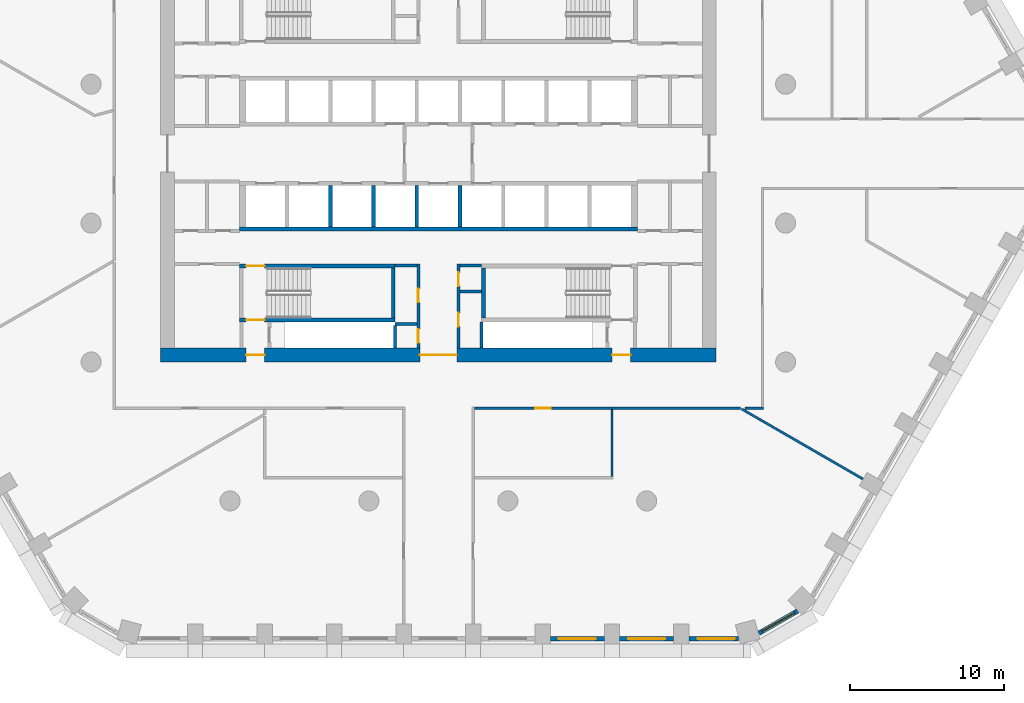
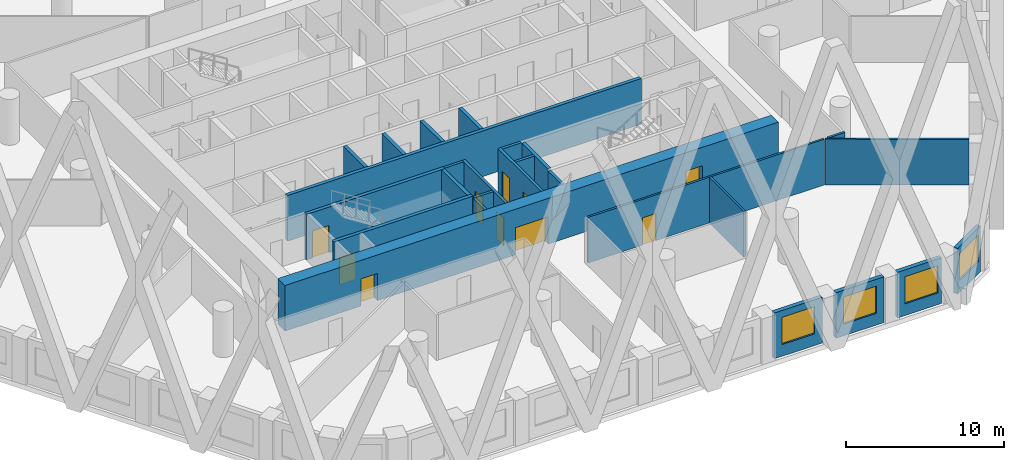
# One storey, part 3 of 18: 27 walls, 10 doors, 4 windows, 14 openings.
"""IFC4 building model written with IfcOpenShell, lengths in metres."""

from ifc_helpers import new_model, si_unit, direction, frame, frame_2d, origin, place, context, subcontext, project, spatial, polyline, rectangle, outline, extrude, material, layer, layer_set, type_object, element, fill, save


model = new_model("IFC4")

# Units and contexts
model_context = context("Model", 3, precision=1e-05, world=origin(), true_north=direction((0.0, 1.0)))
body_context = subcontext(model_context, "Body", "Model", "MODEL_VIEW")
ifc_project = project(units=[si_unit("LENGTHUNIT", "METRE"), si_unit("AREAUNIT", "SQUARE_METRE"), si_unit("VOLUMEUNIT", "CUBIC_METRE"), si_unit("PLANEANGLEUNIT", "RADIAN"), si_unit("MASSUNIT", "GRAM", prefix="KILO")], contexts=[model_context])

# Site, building, storey
site_placement = place(None, origin())
site = spatial("IfcSite", under=ifc_project, at=site_placement, CompositionType="ELEMENT")
building_placement = place(site_placement, origin())
building = spatial("IfcBuilding", under=site, at=building_placement, Name="Dhurran Vertical Campus", CompositionType="ELEMENT")
storey_placement = place(building_placement, frame((0.0, 0.0, 81.300048828125)))
storey = spatial("IfcBuildingStorey", under=building, at=storey_placement, Name="L19", CompositionType="ELEMENT", Elevation=81.300048828125)

# Wall, opening, window
ifc_material_1 = material(Name="Precast concrete C50/60", Category="concrete")
ifc_layer_1 = layer(ifc_material_1, 0.300048828125)
ifc_layer_set_1 = layer_set([ifc_layer_1], Name="Precast concrete C50/60")
wall_type_1 = type_object("IfcWallType", Name="Precast spandrel wall 300", PredefinedType="SOLIDWALL", material=ifc_layer_set_1)
wall_1_placement = place(storey_placement, frame((7.25048828125, -31.4296875, 0.0), z_axis=(0.0, 0.0, 1.0), x_axis=(1.0, 0.0, 0.0)))
wall_1 = element("IfcWall", 1, at=wall_1_placement, inside=storey, type_object=wall_type_1, Name="EW1 L19.06", PredefinedType="SOLIDWALL", context=body_context, shape_type="SweptSolid", body=[
    extrude(rectangle(XDim=3.4990234375, YDim=0.300048828125, at=frame_2d((1.74951171875, 0.0))), origin(), (0.0, 0.0, 1.0), 3.52490234375),
])
opening_1_placement = place(wall_1_placement, frame((0.549560546875, 0.0, 0.89990234375)))
opening_1 = element("IfcOpeningElement", 2, at=opening_1_placement, cuts=wall_1, Name="Opening WT1", PredefinedType="OPENING", context=body_context, shape_type="SweptSolid", body=[
    extrude(rectangle(XDim=2.39990234375, YDim=2.10009765625, at=frame_2d((1.199951171875, 1.050048828125))), frame((0.0, 0.159912109375, 0.0), z_axis=(0.0, -1.0, 0.0), x_axis=(1.0, 0.0, 0.0)), (0.0, 0.0, 1.0), 0.320068359375),
])
ifc_material_2 = material(Name="Aluminium frame with solar-control glass", Category="aluminium")
window_type = type_object("IfcWindowType", Name="Punched window 2400 x 2100", PartitioningType="SINGLE_PANEL", PredefinedType="WINDOW", material=ifc_material_2)
window_1_placement = place(opening_1_placement, origin())
window_1 = element("IfcWindow", 3, at=window_1_placement, inside=storey, type_object=window_type, Name="WT1 L19.06", OverallHeight=2.10009765625, OverallWidth=2.39990234375, PartitioningType="SINGLE_PANEL", PredefinedType="WINDOW", context=body_context, shape_type="SweptSolid", body=[
    extrude(rectangle(XDim=2.39990234375, YDim=2.10009765625, at=frame_2d((1.199951171875, 1.050048828125))), frame((0.0, 0.030029296875, 0.0), z_axis=(0.0, -1.0, 0.0), x_axis=(1.0, 0.0, 0.0)), (0.0, 0.0, 1.0), 0.06005859375),
])
fill(opening_1, window_1)

wall_2_placement = place(storey_placement, frame((11.75048828125, -31.4296875, 0.0), z_axis=(0.0, 0.0, 1.0), x_axis=(1.0, 0.0, 0.0)))
wall_2 = element("IfcWall", 4, at=wall_2_placement, inside=storey, type_object=wall_type_1, Name="EW1 L19.07", PredefinedType="SOLIDWALL", context=body_context, shape_type="SweptSolid", body=[
    extrude(rectangle(XDim=3.4990234375, YDim=0.300048828125, at=frame_2d((1.74951171875, 0.0))), origin(), (0.0, 0.0, 1.0), 3.52490234375),
])
opening_2_placement = place(wall_2_placement, frame((0.549560546875, 0.0, 0.89990234375)))
opening_2 = element("IfcOpeningElement", 5, at=opening_2_placement, cuts=wall_2, Name="Opening WT1", PredefinedType="OPENING", context=body_context, shape_type="SweptSolid", body=[
    extrude(rectangle(XDim=2.39990234375, YDim=2.10009765625, at=frame_2d((1.199951171875, 1.050048828125))), frame((0.0, 0.159912109375, 0.0), z_axis=(0.0, -1.0, 0.0), x_axis=(1.0, 0.0, 0.0)), (0.0, 0.0, 1.0), 0.320068359375),
])
window_2_placement = place(opening_2_placement, origin())
window_2 = element("IfcWindow", 6, at=window_2_placement, inside=storey, type_object=window_type, Name="WT1 L19.07", OverallHeight=2.10009765625, OverallWidth=2.39990234375, PartitioningType="SINGLE_PANEL", PredefinedType="WINDOW", context=body_context, shape_type="SweptSolid", body=[
    extrude(rectangle(XDim=2.39990234375, YDim=2.10009765625, at=frame_2d((1.199951171875, 1.050048828125))), frame((0.0, 0.030029296875, 0.0), z_axis=(0.0, -1.0, 0.0), x_axis=(1.0, 0.0, 0.0)), (0.0, 0.0, 1.0), 0.06005859375),
])
fill(opening_2, window_2)

wall_3_placement = place(storey_placement, frame((16.25048828125, -31.4296875, 0.0), z_axis=(0.0, 0.0, 1.0), x_axis=(1.0, 0.0, 0.0)))
wall_3 = element("IfcWall", 7, at=wall_3_placement, inside=storey, type_object=wall_type_1, Name="EW1 L19.08", PredefinedType="SOLIDWALL", context=body_context, shape_type="SweptSolid", body=[
    extrude(rectangle(XDim=3.1923828125, YDim=0.300048828125, at=frame_2d((1.59619140625, 0.0))), origin(), (0.0, 0.0, 1.0), 3.52490234375),
])
opening_3_placement = place(wall_3_placement, frame((0.549560546875, 0.0, 0.89990234375)))
opening_3 = element("IfcOpeningElement", 8, at=opening_3_placement, cuts=wall_3, Name="Opening WT1", PredefinedType="OPENING", context=body_context, shape_type="SweptSolid", body=[
    extrude(rectangle(XDim=2.39990234375, YDim=2.10009765625, at=frame_2d((1.199951171875, 1.050048828125))), frame((0.0, 0.159912109375, 0.0), z_axis=(0.0, -1.0, 0.0), x_axis=(1.0, 0.0, 0.0)), (0.0, 0.0, 1.0), 0.320068359375),
])
window_3_placement = place(opening_3_placement, origin())
window_3 = element("IfcWindow", 9, at=window_3_placement, inside=storey, type_object=window_type, Name="WT1 L19.08", OverallHeight=2.10009765625, OverallWidth=2.39990234375, PartitioningType="SINGLE_PANEL", PredefinedType="WINDOW", context=body_context, shape_type="SweptSolid", body=[
    extrude(rectangle(XDim=2.39990234375, YDim=2.10009765625, at=frame_2d((1.199951171875, 1.050048828125))), frame((0.0, 0.030029296875, 0.0), z_axis=(0.0, -1.0, 0.0), x_axis=(1.0, 0.0, 0.0)), (0.0, 0.0, 1.0), 0.06005859375),
])
fill(opening_3, window_3)

wall_4_placement = place(storey_placement, frame((20.774169921875, -31.072998046875, 0.0), z_axis=(0.0, 0.0, 1.0), x_axis=(0.866053149362, 0.49995194017, 0.0)))
wall_4 = element("IfcWall", 10, at=wall_4_placement, inside=storey, type_object=wall_type_1, Name="EW1 L19.09", PredefinedType="SOLIDWALL", context=body_context, shape_type="SweptSolid", body=[
    extrude(rectangle(XDim=2.885498046875, YDim=0.300048828125, at=frame_2d((1.44287109375, 0.0))), origin(), (0.0, 0.0, 1.0), 3.52490234375),
])
opening_4_placement = place(wall_4_placement, frame((0.242919921875, 0.0, 0.89990234375)))
opening_4 = element("IfcOpeningElement", 11, at=opening_4_placement, cuts=wall_4, Name="Opening WT1", PredefinedType="OPENING", context=body_context, shape_type="SweptSolid", body=[
    extrude(rectangle(XDim=2.39990234375, YDim=2.10009765625, at=frame_2d((1.199951171875, 1.050048828125))), frame((0.0, 0.159912109375, 0.0), z_axis=(0.0, -1.0, 0.0), x_axis=(1.0, 0.0, 0.0)), (0.0, 0.0, 1.0), 0.320068359375),
])
window_4_placement = place(opening_4_placement, origin())
window_4 = element("IfcWindow", 12, at=window_4_placement, inside=storey, type_object=window_type, Name="WT1 L19.09", OverallHeight=2.10009765625, OverallWidth=2.39990234375, PartitioningType="SINGLE_PANEL", PredefinedType="WINDOW", context=body_context, shape_type="SweptSolid", body=[
    extrude(rectangle(XDim=2.39990234375, YDim=2.10009765625, at=frame_2d((1.199951171875, 1.050048828125))), frame((0.0, 0.030029296875, 0.0), z_axis=(0.0, -1.0, 0.0), x_axis=(1.0, 0.0, 0.0)), (0.0, 0.0, 1.0), 0.06005859375),
])
fill(opening_4, window_4)

# Wall, openings, doors
ifc_material_3 = material(Name="Concrete C60/75", Category="concrete")
ifc_layer_2 = layer(ifc_material_3, 0.89990234375)
ifc_layer_set_2 = layer_set([ifc_layer_2], Name="Concrete C60/75")
wall_type_2 = type_object("IfcWallType", Name="co-CORE-WALL-C0-900", PredefinedType="SHEAR", material=ifc_layer_set_2)
wall_5_placement = place(storey_placement, frame((-18.0, -13.050048828125, 0.0), z_axis=(0.0, 0.0, 1.0), x_axis=(1.0, 0.0, 0.0)))
wall_5 = element("IfcWall", 13, at=wall_5_placement, inside=storey, type_object=wall_type_2, Name="Core wall S L19", PredefinedType="SHEAR", context=body_context, shape_type="SweptSolid", body=[
    extrude(rectangle(XDim=36.0, YDim=0.89990234375, at=frame_2d((18.0, 0.0))), origin(), (0.0, 0.0, 1.0), 3.52490234375),
])
opening_5_placement = place(wall_5_placement, frame((16.800048828125, 0.0, 0.0)))
opening_5 = element("IfcOpeningElement", 14, at=opening_5_placement, cuts=wall_5, Name="Opening CV2", PredefinedType="OPENING", context=body_context, shape_type="SweptSolid", body=[
    extrude(rectangle(XDim=2.39990234375, YDim=2.10009765625, at=frame_2d((1.199951171875, 1.050048828125))), frame((0.0, 0.4599609375, 0.0), z_axis=(0.0, -1.0, 0.0), x_axis=(1.0, 0.0, 0.0)), (0.0, 0.0, 1.0), 0.919921875),
])
opening_6_placement = place(wall_5_placement, frame((5.550048828125, 0.0, 0.0)))
opening_6 = element("IfcOpeningElement", 15, at=opening_6_placement, cuts=wall_5, Name="Opening XD3", PredefinedType="OPENING", context=body_context, shape_type="SweptSolid", body=[
    extrude(rectangle(XDim=1.199951171875, YDim=2.10009765625, at=frame_2d((0.60009765625, 1.050048828125))), frame((0.0, 0.4599609375, 0.0), z_axis=(0.0, -1.0, 0.0), x_axis=(1.0, 0.0, 0.0)), (0.0, 0.0, 1.0), 0.919921875),
])
opening_7_placement = place(wall_5_placement, frame((29.25, 0.0, 0.0)))
opening_7 = element("IfcOpeningElement", 16, at=opening_7_placement, cuts=wall_5, Name="Opening XD4", PredefinedType="OPENING", context=body_context, shape_type="SweptSolid", body=[
    extrude(rectangle(XDim=1.199951171875, YDim=2.10009765625, at=frame_2d((0.60009765625, 1.050048828125))), frame((0.0, 0.4599609375, 0.0), z_axis=(0.0, -1.0, 0.0), x_axis=(1.0, 0.0, 0.0)), (0.0, 0.0, 1.0), 0.919921875),
])
ifc_material_4 = material(Name="Fire-rated glazed door set")
door_type_1 = type_object("IfcDoorType", Name="co-D-LOBBY 2400x2100", OperationType="DOUBLE_DOOR_DOUBLE_SWING", PredefinedType="DOOR", material=ifc_material_4)
door_1_placement = place(opening_5_placement, origin())
door_1 = element("IfcDoor", 17, at=door_1_placement, inside=storey, type_object=door_type_1, Name="Core vestibule door S L19", OperationType="DOUBLE_DOOR_DOUBLE_SWING", OverallHeight=2.10009765625, OverallWidth=2.39990234375, PredefinedType="DOOR", context=body_context, shape_type="SweptSolid", body=[
    extrude(rectangle(XDim=2.39990234375, YDim=2.10009765625, at=frame_2d((1.199951171875, 1.050048828125))), frame((0.0, 0.02490234375, 0.0), z_axis=(0.0, -1.0, 0.0), x_axis=(1.0, 0.0, 0.0)), (0.0, 0.0, 1.0), 0.050048828125),
])
fill(opening_5, door_1)
ifc_material_5 = material(Name="Fire-rated steel door set", Category="steel")
door_type_2 = type_object("IfcDoorType", Name="co-D-STAIR-EXIT 1200x2100", OperationType="SINGLE_SWING_RIGHT", PredefinedType="DOOR", material=ifc_material_5)
door_2_placement = place(opening_6_placement, origin())
door_2 = element("IfcDoor", 18, at=door_2_placement, inside=storey, type_object=door_type_2, Name="Stair ST3 exit door L19", OperationType="SINGLE_SWING_RIGHT", OverallHeight=2.10009765625, OverallWidth=1.199951171875, PredefinedType="DOOR", context=body_context, shape_type="SweptSolid", body=[
    extrude(rectangle(XDim=1.199951171875, YDim=2.10009765625, at=frame_2d((0.60009765625, 1.050048828125))), frame((0.0, 0.02490234375, 0.0), z_axis=(0.0, -1.0, 0.0), x_axis=(1.0, 0.0, 0.0)), (0.0, 0.0, 1.0), 0.050048828125),
])
fill(opening_6, door_2)
door_3_placement = place(opening_7_placement, origin())
door_3 = element("IfcDoor", 19, at=door_3_placement, inside=storey, type_object=door_type_2, Name="Stair ST4 exit door L19", OperationType="SINGLE_SWING_RIGHT", OverallHeight=2.10009765625, OverallWidth=1.199951171875, PredefinedType="DOOR", context=body_context, shape_type="SweptSolid", body=[
    extrude(rectangle(XDim=1.199951171875, YDim=2.10009765625, at=frame_2d((0.60009765625, 1.050048828125))), frame((0.0, 0.02490234375, 0.0), z_axis=(0.0, -1.0, 0.0), x_axis=(1.0, 0.0, 0.0)), (0.0, 0.0, 1.0), 0.050048828125),
])
fill(opening_7, door_3)

# Walls
ifc_material_6 = material(Name="Fire-rated masonry blockwork", Category="masonry")
ifc_layer_3 = layer(ifc_material_6, 0.199951171875)
ifc_layer_set_3 = layer_set([ifc_layer_3], Name="Fire-rated masonry blockwork")
wall_type_3 = type_object("IfcWallType", Name="co-FIRE-PARTITION-200", PredefinedType="PARTITIONING", material=ifc_layer_set_3)
for number, where, z_axis, x_axis, name in (
    (20, (-2.800048828125, -7.25, 0.0), (0.0, 0.0, 1.0), (1.0, 0.0, 0.0), "Core partition sl-SW-S L19"),
    (21, (-2.800048828125, -11.02490234375, 0.0), (0.0, 0.0, 1.0), (1.0, 0.0, 0.0), "Core partition sl-SW-cut0 L19"),
    (22, (1.39990234375, -7.25, 0.0), (0.0, 0.0, 1.0), (1.0, 0.0, 0.0), "Core partition sl-SE-S L19"),
    (23, (1.39990234375, -8.925048828125, 0.0), (0.0, 0.0, 1.0), (1.0, 0.0, 0.0), "Core partition sl-SE-cut0 L19"),
):
    element("IfcWall", number, at=place(storey_placement, frame(where, z_axis=z_axis, x_axis=x_axis)), inside=storey, type_object=wall_type_3, Name=name, PredefinedType="PARTITIONING", context=body_context, shape_type="SweptSolid", body=[
        extrude(rectangle(XDim=1.400146484375, YDim=0.199951171875, at=frame_2d((0.7001953125, 0.0))), origin(), (0.0, 0.0, 1.0), 3.52490234375),
    ])

# Wall, openings, doors
wall_6_placement = place(storey_placement, frame((-1.300048828125, -12.60009765625, 0.0), z_axis=(0.0, 0.0, 1.0), x_axis=(0.0, 1.0, 0.0)))
wall_6 = element("IfcWall", 24, at=wall_6_placement, inside=storey, type_object=wall_type_3, Name="Core partition vest-SW L19", PredefinedType="PARTITIONING", context=body_context, shape_type="SweptSolid", body=[
    extrude(rectangle(XDim=5.4501953125, YDim=0.199951171875, at=frame_2d((2.72509765625, 0.0))), origin(), (0.0, 0.0, 1.0), 3.52490234375),
])
opening_8_placement = place(wall_6_placement, frame((0.33740234375, 0.0, 0.0)))
opening_8 = element("IfcOpeningElement", 25, at=opening_8_placement, cuts=wall_6, Name="Opening T05-C1", PredefinedType="OPENING", context=body_context, shape_type="SweptSolid", body=[
    extrude(rectangle(XDim=0.89990234375, YDim=2.10009765625, at=frame_2d((0.449951171875, 1.050048828125))), frame((0.0, 0.10986328125, 0.0), z_axis=(0.0, -1.0, 0.0), x_axis=(1.0, 0.0, 0.0)), (0.0, 0.0, 1.0), 0.219970703125),
])
opening_9_placement = place(wall_6_placement, frame((2.96240234375, 0.0, 0.0)))
opening_9 = element("IfcOpeningElement", 26, at=opening_9_placement, cuts=wall_6, Name="Opening T05-C2", PredefinedType="OPENING", context=body_context, shape_type="SweptSolid", body=[
    extrude(rectangle(XDim=0.89990234375, YDim=2.10009765625, at=frame_2d((0.449951171875, 1.050048828125))), frame((0.0, 0.10986328125, 0.0), z_axis=(0.0, -1.0, 0.0), x_axis=(1.0, 0.0, 0.0)), (0.0, 0.0, 1.0), 0.219970703125),
])
ifc_material_7 = material(Name="Fire-rated timber door set", Category="wood")
door_type_3 = type_object("IfcDoorType", Name="co-D-ROOM 900x2100", OperationType="SINGLE_SWING_LEFT", PredefinedType="DOOR", material=ifc_material_7)
door_4_placement = place(opening_8_placement, origin())
door_4 = element("IfcDoor", 27, at=door_4_placement, inside=storey, type_object=door_type_3, Name="Fire equipment store door L19", OperationType="SINGLE_SWING_LEFT", OverallHeight=2.10009765625, OverallWidth=0.89990234375, PredefinedType="DOOR", context=body_context, shape_type="SweptSolid", body=[
    extrude(rectangle(XDim=0.89990234375, YDim=2.10009765625, at=frame_2d((0.449951171875, 1.050048828125))), frame((0.0, 0.02490234375, 0.0), z_axis=(0.0, -1.0, 0.0), x_axis=(1.0, 0.0, 0.0)), (0.0, 0.0, 1.0), 0.050048828125),
])
fill(opening_8, door_4)
door_5_placement = place(opening_9_placement, origin())
door_5 = element("IfcDoor", 28, at=door_5_placement, inside=storey, type_object=door_type_3, Name="Server room door L19", OperationType="SINGLE_SWING_LEFT", OverallHeight=2.10009765625, OverallWidth=0.89990234375, PredefinedType="DOOR", context=body_context, shape_type="SweptSolid", body=[
    extrude(rectangle(XDim=0.89990234375, YDim=2.10009765625, at=frame_2d((0.449951171875, 1.050048828125))), frame((0.0, 0.02490234375, 0.0), z_axis=(0.0, -1.0, 0.0), x_axis=(1.0, 0.0, 0.0)), (0.0, 0.0, 1.0), 0.050048828125),
])
fill(opening_9, door_5)

wall_7_placement = place(storey_placement, frame((1.300048828125, -12.60009765625, 0.0), z_axis=(0.0, 0.0, 1.0), x_axis=(0.0, 1.0, 0.0)))
wall_7 = element("IfcWall", 29, at=wall_7_placement, inside=storey, type_object=wall_type_3, Name="Core partition vest-SE L19", PredefinedType="PARTITIONING", context=body_context, shape_type="SweptSolid", body=[
    extrude(rectangle(XDim=5.4501953125, YDim=0.199951171875, at=frame_2d((2.72509765625, 0.0))), origin(), (0.0, 0.0, 1.0), 3.52490234375),
])
opening_10_placement = place(wall_7_placement, frame((1.387451171875, 0.0, 0.0)))
opening_10 = element("IfcOpeningElement", 30, at=opening_10_placement, cuts=wall_7, Name="Opening T05-C3", PredefinedType="OPENING", context=body_context, shape_type="SweptSolid", body=[
    extrude(rectangle(XDim=0.89990234375, YDim=2.10009765625, at=frame_2d((0.449951171875, 1.050048828125))), frame((0.0, 0.10986328125, 0.0), z_axis=(0.0, -1.0, 0.0), x_axis=(1.0, 0.0, 0.0)), (0.0, 0.0, 1.0), 0.219970703125),
])
opening_11_placement = place(wall_7_placement, frame((4.012451171875, 0.0, 0.0)))
opening_11 = element("IfcOpeningElement", 31, at=opening_11_placement, cuts=wall_7, Name="Opening T05-C4", PredefinedType="OPENING", context=body_context, shape_type="SweptSolid", body=[
    extrude(rectangle(XDim=0.89990234375, YDim=2.10009765625, at=frame_2d((0.449951171875, 1.050048828125))), frame((0.0, 0.10986328125, 0.0), z_axis=(0.0, -1.0, 0.0), x_axis=(1.0, 0.0, 0.0)), (0.0, 0.0, 1.0), 0.219970703125),
])
door_6_placement = place(opening_10_placement, origin())
door_6 = element("IfcDoor", 32, at=door_6_placement, inside=storey, type_object=door_type_3, Name="Water riser door L19", OperationType="SINGLE_SWING_LEFT", OverallHeight=2.10009765625, OverallWidth=0.89990234375, PredefinedType="DOOR", context=body_context, shape_type="SweptSolid", body=[
    extrude(rectangle(XDim=0.89990234375, YDim=2.10009765625, at=frame_2d((0.449951171875, 1.050048828125))), frame((0.0, 0.02490234375, 0.0), z_axis=(0.0, -1.0, 0.0), x_axis=(1.0, 0.0, 0.0)), (0.0, 0.0, 1.0), 0.050048828125),
])
fill(opening_10, door_6)
door_7_placement = place(opening_11_placement, origin())
door_7 = element("IfcDoor", 33, at=door_7_placement, inside=storey, type_object=door_type_3, Name="Communications room door L19", OperationType="SINGLE_SWING_LEFT", OverallHeight=2.10009765625, OverallWidth=0.89990234375, PredefinedType="DOOR", context=body_context, shape_type="SweptSolid", body=[
    extrude(rectangle(XDim=0.89990234375, YDim=2.10009765625, at=frame_2d((0.449951171875, 1.050048828125))), frame((0.0, 0.02490234375, 0.0), z_axis=(0.0, -1.0, 0.0), x_axis=(1.0, 0.0, 0.0)), (0.0, 0.0, 1.0), 0.050048828125),
])
fill(opening_11, door_7)

# Walls
wall_8_placement = place(storey_placement, frame((-2.800048828125, -12.59912109375, 0.0), z_axis=(0.0, 0.0, 1.0), x_axis=(0.0, 1.0, 0.0)))
element("IfcWall", 34, at=wall_8_placement, inside=storey, type_object=wall_type_3, Name="Riser enclosure wall L19", PredefinedType="PARTITIONING", context=body_context, shape_type="SweptSolid", body=[
    extrude(rectangle(XDim=1.47314453125, YDim=0.199951171875, at=frame_2d((0.736572265625, 0.0))), origin(), (0.0, 0.0, 1.0), 3.52490234375),
])
wall_9_placement = place(storey_placement, frame((2.800048828125, -12.59912109375, 0.0), z_axis=(0.0, 0.0, 1.0), x_axis=(0.0, 1.0, 0.0)))
element("IfcWall", 35, at=wall_9_placement, inside=storey, type_object=wall_type_3, Name="Riser enclosure wall L19", PredefinedType="PARTITIONING", context=body_context, shape_type="SweptSolid", body=[
    extrude(rectangle(XDim=1.6982421875, YDim=0.199951171875, at=frame_2d((0.84912109375, 0.0))), origin(), (0.0, 0.0, 1.0), 3.52490234375),
])
ifc_material_8 = material(Name="Concrete C50/60", Category="concrete")
ifc_layer_4 = layer(ifc_material_8, 0.25)
ifc_layer_set_4 = layer_set([ifc_layer_4], Name="Concrete C50/60")
wall_type_4 = type_object("IfcWallType", Name="co-SHAFT-MASS-250", PredefinedType="SHEAR", material=ifc_layer_set_4)
wall_10_placement = place(storey_placement, origin())
element("IfcWall", 36, at=wall_10_placement, inside=storey, type_object=wall_type_4, Name="Lift shaft wall S L19 1", PredefinedType="SHEAR", context=body_context, shape_type="SweptSolid", body=[
    extrude(outline(polyline([(-12.89990234375, -5.0), (12.89990234375, -5.0), (12.89990234375, -4.75), (-12.89990234375, -4.75), (-12.89990234375, -5.0)])), origin(), (0.0, 0.0, 1.0), 3.52490234375),
])
wall_11_placement = place(storey_placement, origin())
element("IfcWall", 37, at=wall_11_placement, inside=storey, type_object=wall_type_4, Name="Lift shaft wall S L19 4", PredefinedType="SHEAR", context=body_context, shape_type="SweptSolid", body=[
    extrude(outline(polyline([(-7.125, -4.75), (-6.875, -4.75), (-6.875, -2.050048828125), (-7.125, -2.050048828125), (-7.125, -4.75)])), origin(), (0.0, 0.0, 1.0), 3.52490234375),
])
wall_12_placement = place(storey_placement, origin())
element("IfcWall", 38, at=wall_12_placement, inside=storey, type_object=wall_type_4, Name="Lift shaft wall S L19 5", PredefinedType="SHEAR", context=body_context, shape_type="SweptSolid", body=[
    extrude(outline(polyline([(-4.324951171875, -4.75), (-4.074951171875, -4.75), (-4.074951171875, -2.050048828125), (-4.324951171875, -2.050048828125), (-4.324951171875, -4.75)])), origin(), (0.0, 0.0, 1.0), 3.52490234375),
])
wall_13_placement = place(storey_placement, origin())
element("IfcWall", 39, at=wall_13_placement, inside=storey, type_object=wall_type_4, Name="Lift shaft wall S L19 6", PredefinedType="SHEAR", context=body_context, shape_type="SweptSolid", body=[
    extrude(outline(polyline([(-1.52490234375, -4.75), (-1.27490234375, -4.75), (-1.27490234375, -2.050048828125), (-1.52490234375, -2.050048828125), (-1.52490234375, -4.75)])), origin(), (0.0, 0.0, 1.0), 3.52490234375),
])
wall_14_placement = place(storey_placement, origin())
element("IfcWall", 40, at=wall_14_placement, inside=storey, type_object=wall_type_4, Name="Lift shaft wall S L19 7", PredefinedType="SHEAR", context=body_context, shape_type="SweptSolid", body=[
    extrude(outline(polyline([(1.27490234375, -4.75), (1.52490234375, -4.75), (1.52490234375, -2.050048828125), (1.27490234375, -2.050048828125), (1.27490234375, -4.75)])), origin(), (0.0, 0.0, 1.0), 3.52490234375),
])

# Wall, opening, door
ifc_material_9 = material(Name="Concrete C40/50", Category="concrete")
ifc_layer_5 = layer(ifc_material_9, 0.25)
ifc_layer_set_5 = layer_set([ifc_layer_5], Name="Concrete C40/50")
wall_type_5 = type_object("IfcWallType", Name="co-STAIR-WALL-250", PredefinedType="SHEAR", material=ifc_layer_set_5)
wall_15_placement = place(storey_placement, frame((-12.89990234375, -10.77490234375, 0.0), z_axis=(0.0, 0.0, 1.0), x_axis=(1.0, 0.0, 0.0)))
wall_15 = element("IfcWall", 41, at=wall_15_placement, inside=storey, type_object=wall_type_5, Name="Stair ST3 enclosure wall L19", PredefinedType="SHEAR", context=body_context, shape_type="SweptSolid", body=[
    extrude(rectangle(XDim=10.099853515625, YDim=0.25, at=frame_2d((5.0498046875, 0.0))), origin(), (0.0, 0.0, 1.0), 3.52490234375),
])
opening_12_placement = place(wall_15_placement, frame((0.449951171875, 0.0, 0.0)))
opening_12 = element("IfcOpeningElement", 42, at=opening_12_placement, cuts=wall_15, Name="Opening XS3", PredefinedType="OPENING", context=body_context, shape_type="SweptSolid", body=[
    extrude(rectangle(XDim=1.199951171875, YDim=2.10009765625, at=frame_2d((0.60009765625, 1.050048828125))), frame((0.0, 0.135009765625, 0.0), z_axis=(0.0, -1.0, 0.0), x_axis=(1.0, 0.0, 0.0)), (0.0, 0.0, 1.0), 0.27001953125),
])
door_8_placement = place(opening_12_placement, origin())
door_8 = element("IfcDoor", 43, at=door_8_placement, inside=storey, type_object=door_type_2, Name="Stair ST3 discharge door L19", OperationType="SINGLE_SWING_RIGHT", OverallHeight=2.10009765625, OverallWidth=1.199951171875, PredefinedType="DOOR", context=body_context, shape_type="SweptSolid", body=[
    extrude(rectangle(XDim=1.199951171875, YDim=2.10009765625, at=frame_2d((0.60009765625, 1.050048828125))), frame((0.0, 0.02490234375, 0.0), z_axis=(0.0, -1.0, 0.0), x_axis=(1.0, 0.0, 0.0)), (0.0, 0.0, 1.0), 0.050048828125),
])
fill(opening_12, door_8)

wall_16_placement = place(storey_placement, frame((-12.89990234375, -7.27490234375, 0.0), z_axis=(0.0, 0.0, 1.0), x_axis=(1.0, 0.0, 0.0)))
wall_16 = element("IfcWall", 44, at=wall_16_placement, inside=storey, type_object=wall_type_5, Name="Stair ST3 enclosure wall L19", PredefinedType="SHEAR", context=body_context, shape_type="SweptSolid", body=[
    extrude(rectangle(XDim=10.099853515625, YDim=0.25, at=frame_2d((5.0498046875, 0.0))), origin(), (0.0, 0.0, 1.0), 3.52490234375),
])
opening_13_placement = place(wall_16_placement, frame((0.449951171875, 0.0, 0.0)))
opening_13 = element("IfcOpeningElement", 45, at=opening_13_placement, cuts=wall_16, Name="Opening SD3", PredefinedType="OPENING", context=body_context, shape_type="SweptSolid", body=[
    extrude(rectangle(XDim=1.199951171875, YDim=2.10009765625, at=frame_2d((0.60009765625, 1.050048828125))), frame((0.0, 0.135009765625, 0.0), z_axis=(0.0, -1.0, 0.0), x_axis=(1.0, 0.0, 0.0)), (0.0, 0.0, 1.0), 0.27001953125),
])
ifc_material_10 = material(Name="Fire-rated steel door set", Category="steel")
door_type_4 = type_object("IfcDoorType", Name="co-D-STAIR 1200x2100", OperationType="SINGLE_SWING_LEFT", PredefinedType="DOOR", material=ifc_material_10)
door_9_placement = place(opening_13_placement, origin())
door_9 = element("IfcDoor", 46, at=door_9_placement, inside=storey, type_object=door_type_4, Name="Stair ST3 door L19", OperationType="SINGLE_SWING_LEFT", OverallHeight=2.10009765625, OverallWidth=1.199951171875, PredefinedType="DOOR", context=body_context, shape_type="SweptSolid", body=[
    extrude(rectangle(XDim=1.199951171875, YDim=2.10009765625, at=frame_2d((0.60009765625, 1.050048828125))), frame((0.0, 0.02490234375, 0.0), z_axis=(0.0, -1.0, 0.0), x_axis=(1.0, 0.0, 0.0)), (0.0, 0.0, 1.0), 0.050048828125),
])
fill(opening_13, door_9)

# Walls
for number, where, z_axis, x_axis, name in (
    (47, (-2.925048828125, -10.64990234375, 0.0), (0.0, 0.0, 1.0), (0.0, 1.0, 0.0), "Stair ST3 enclosure wall L19"),
    (48, (2.925048828125, -10.64990234375, 0.0), (0.0, 0.0, 1.0), (0.0, 1.0, 0.0), "Stair ST4 enclosure wall L19"),
):
    element("IfcWall", number, at=place(storey_placement, frame(where, z_axis=z_axis, x_axis=x_axis)), inside=storey, type_object=wall_type_5, Name=name, PredefinedType="SHEAR", context=body_context, shape_type="SweptSolid", body=[
        extrude(rectangle(XDim=3.25, YDim=0.25, at=frame_2d((1.625, 0.0))), origin(), (0.0, 0.0, 1.0), 3.52490234375),
    ])

# Wall, opening, door
ifc_material_11 = material(Name="Gypsum board corridor wall on steel studs", Category="steel")
ifc_layer_6 = layer(ifc_material_11, 0.14990234375)
ifc_layer_set_6 = layer_set([ifc_layer_6], Name="Gypsum board corridor wall on steel studs")
wall_type_6 = type_object("IfcWallType", Name="fl-CW-150 corridor wall", PredefinedType="PARTITIONING", material=ifc_layer_set_6)
wall_17_placement = place(storey_placement, frame((2.324951171875, -16.5, 0.0), z_axis=(0.0, 0.0, 1.0), x_axis=(1.0, 0.0, 0.0)))
wall_17 = element("IfcWall", 49, at=wall_17_placement, inside=storey, type_object=wall_type_6, Name="Partition 19-26", PredefinedType="PARTITIONING", context=body_context, shape_type="SweptSolid", body=[
    extrude(rectangle(XDim=8.925048828125, YDim=0.14990234375, at=frame_2d((4.46240234375, 0.0))), origin(), (0.0, 0.0, 1.0), 3.52490234375),
])
opening_14_placement = place(wall_17_placement, frame((3.96240234375, 0.0, 0.0)))
opening_14 = element("IfcOpeningElement", 50, at=opening_14_placement, cuts=wall_17, Name="Opening T05.08", PredefinedType="OPENING", context=body_context, shape_type="SweptSolid", body=[
    extrude(rectangle(XDim=1.0, YDim=2.10009765625, at=frame_2d((0.5, 1.050048828125))), frame((0.0, 0.0849609375, 0.0), z_axis=(0.0, -1.0, 0.0), x_axis=(1.0, 0.0, 0.0)), (0.0, 0.0, 1.0), 0.169921875),
])
ifc_material_12 = material(Name="Solid-core timber door set, fire-rated", Category="wood")
door_type_5 = type_object("IfcDoorType", Name="fl-D-1000x2100", OperationType="SINGLE_SWING_LEFT", PredefinedType="DOOR", material=ifc_material_12)
door_10_placement = place(opening_14_placement, origin())
door_10 = element("IfcDoor", 51, at=door_10_placement, inside=storey, type_object=door_type_5, Name="Door 19.08", OperationType="SINGLE_SWING_LEFT", OverallHeight=2.10009765625, OverallWidth=1.0, PredefinedType="DOOR", context=body_context, shape_type="SweptSolid", body=[
    extrude(rectangle(XDim=1.0, YDim=2.10009765625, at=frame_2d((0.5, 1.050048828125))), frame((0.0, 0.02490234375, 0.0), z_axis=(0.0, -1.0, 0.0), x_axis=(1.0, 0.0, 0.0)), (0.0, 0.0, 1.0), 0.050048828125),
])
fill(opening_14, door_10)

# Walls
wall_18_placement = place(storey_placement, frame((11.25, -16.5, 0.0), z_axis=(0.0, 0.0, 1.0), x_axis=(1.0, 0.0, 0.0)))
element("IfcWall", 52, at=wall_18_placement, inside=storey, type_object=wall_type_6, Name="Partition 19-32", PredefinedType="PARTITIONING", context=body_context, shape_type="SweptSolid", body=[
    extrude(rectangle(XDim=8.3291015625, YDim=0.14990234375, at=frame_2d((4.16455078125, 0.0))), origin(), (0.0, 0.0, 1.0), 3.52490234375),
])
wall_19_placement = place(storey_placement, frame((19.85400390625, -16.5, 0.0), z_axis=(0.0, 0.0, 1.0), x_axis=(1.0, 0.0, 0.0)))
element("IfcWall", 53, at=wall_19_placement, inside=storey, type_object=wall_type_6, Name="Partition 19-35", PredefinedType="PARTITIONING", context=body_context, shape_type="SweptSolid", body=[
    extrude(rectangle(XDim=1.220947265625, YDim=0.14990234375, at=frame_2d((0.6103515625, 0.0))), origin(), (0.0, 0.0, 1.0), 3.52490234375),
])
ifc_material_13 = material(Name="Gypsum board partition on steel studs", Category="steel")
ifc_layer_7 = layer(ifc_material_13, 0.14990234375)
ifc_layer_set_7 = layer_set([ifc_layer_7], Name="Gypsum board partition on steel studs")
wall_type_7 = type_object("IfcWallType", Name="fl-PW-150 fixed partition", PredefinedType="PARTITIONING", material=ifc_layer_set_7)
wall_20_placement = place(storey_placement, frame((11.25, -16.574951171875, 0.0), z_axis=(0.0, 0.0, 1.0), x_axis=(0.0, -1.0, 0.0)))
element("IfcWall", 54, at=wall_20_placement, inside=storey, type_object=wall_type_7, Name="Partition 19-31", PredefinedType="PARTITIONING", context=body_context, shape_type="SweptSolid", body=[
    extrude(rectangle(XDim=4.35009765625, YDim=0.14990234375, at=frame_2d((2.175048828125, 0.0))), origin(), (0.0, 0.0, 1.0), 3.52490234375),
])
wall_21_placement = place(storey_placement, frame((19.643798828125, -16.53759765625, 0.0), z_axis=(0.0, 0.0, 1.0), x_axis=(0.866004606565, -0.500036020111, 0.0)))
element("IfcWall", 55, at=wall_21_placement, inside=storey, type_object=wall_type_7, Name="Partition 19-36", PredefinedType="PARTITIONING", context=body_context, shape_type="SweptSolid", body=[
    extrude(rectangle(XDim=9.075927734375, YDim=0.14990234375, at=frame_2d((4.5380859375, 0.0))), origin(), (0.0, 0.0, 1.0), 3.52490234375),
])

save(model, "model.ifc")
